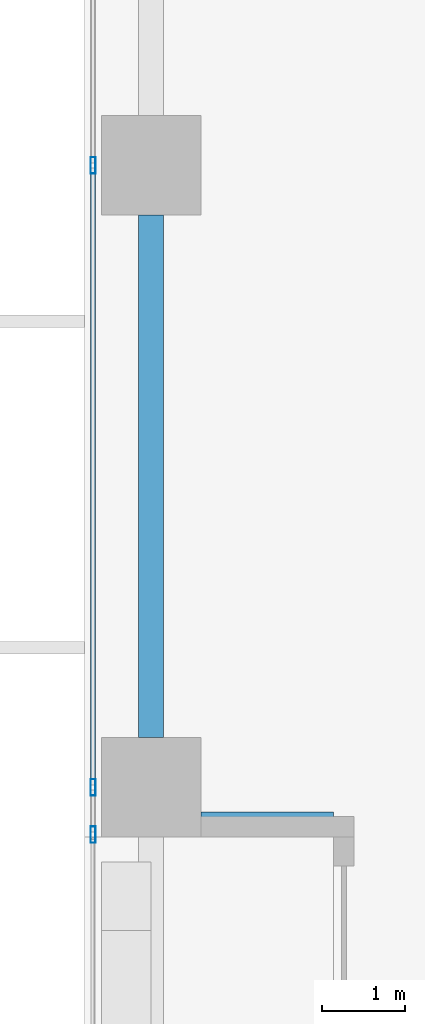
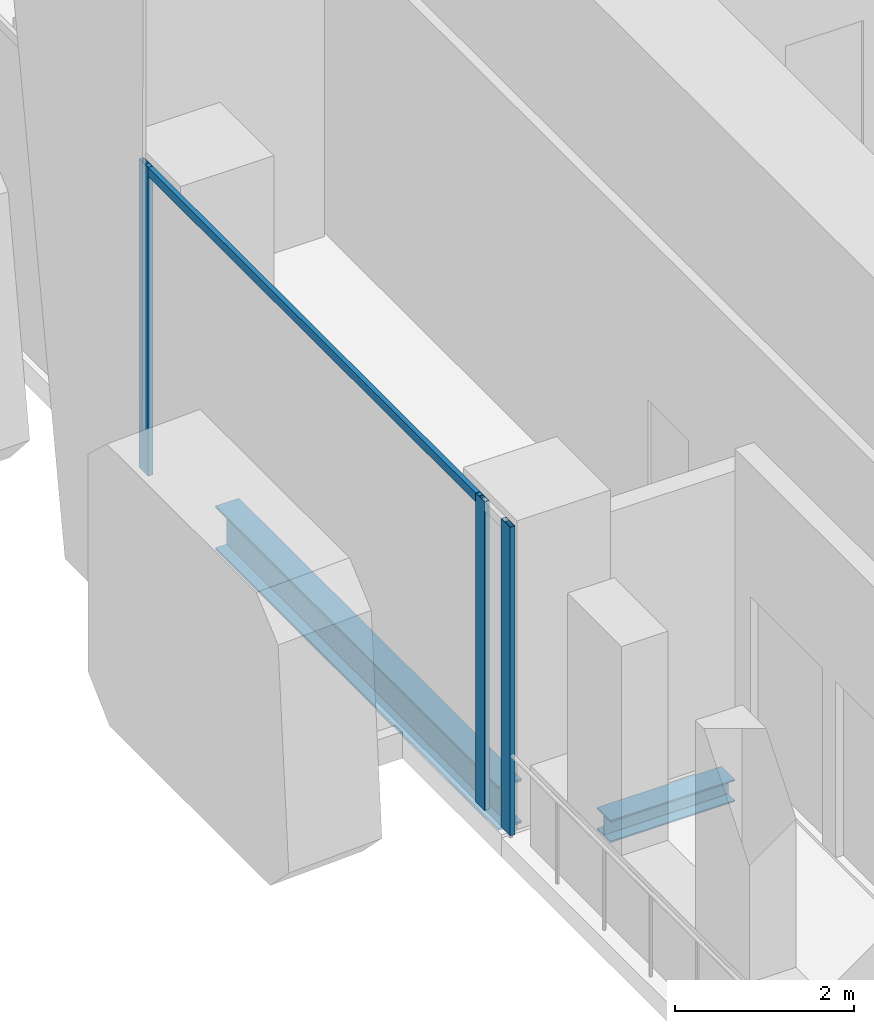
# One storey, part 5 of 36: 4 members, 2 beams, 1 element without a shape of its own.
"""IFC4 building model written with IfcOpenShell, lengths in metres."""

import ifcopenshell
import ifcopenshell.guid

model = None  # the IFC model being written
_history = None  # IfcOwnerHistory: only IFC2X3 demands one
_inside = {}  # id of a spatial element -> (the spatial element, [elements in it])
_under = {}  # id of a project, library or spatial element -> (it, [spatial elements below it])
_declared = {}  # id of a project -> (the project, [libraries it declares])
_typed = {}  # id of a type object -> (the type object, [elements of that type])
_made_of = {}  # id of a material, layer set ... -> (it, [elements and type objects made of it])


def new_model(schema):
    """Start an empty IFC model of exactly this schema.

    Asked for "IFC4X3", IfcOpenShell would pick the latest addendum, in which some entities
    have other attributes; the version numbers below select the first issue.
    IFC2X3 requires an IfcOwnerHistory on every rooted entity: one is made here for all.
    """
    global model, _history
    if schema == "IFC4X3":
        model = ifcopenshell.file(schema_version=(4, 3, 0, 0))
    else:
        model = ifcopenshell.file(schema=schema)
    _inside.clear()
    _under.clear()
    _declared.clear()
    _typed.clear()
    _made_of.clear()
    _history = None
    if model.schema == "IFC2X3":
        org = make("IfcOrganization", Name="unknown")
        user = make(
            "IfcPersonAndOrganization",
            ThePerson=make("IfcPerson", FamilyName="unknown"),
            TheOrganization=org,
        )
        app = make(
            "IfcApplication",
            ApplicationDeveloper=org,
            Version="unknown",
            ApplicationFullName="unknown",
            ApplicationIdentifier="unknown",
        )
        _history = make(
            "IfcOwnerHistory",
            OwningUser=user,
            OwningApplication=app,
            ChangeAction="ADDED",
            CreationDate=0,
        )
    return model


def make(cls, **values):
    """One entity of the class cls with the attributes given. An attribute that is None is left unset."""
    return model.create_entity(
        cls, **{name: value for name, value in values.items() if value is not None}
    )


def rooted(cls, **values):
    """An entity with a GlobalId (a new one), such as an element, a storey or a relation."""
    return make(cls, GlobalId=ifcopenshell.guid.new(), OwnerHistory=_history, **values)


def si_unit(unit_type, name, prefix=None):
    """IfcSIUnit, for example si_unit("LENGTHUNIT", "METRE", prefix="MILLI")."""
    return make("IfcSIUnit", UnitType=unit_type, Prefix=prefix, Name=name)


def assignment(units):
    """IfcUnitAssignment: the units of a project."""
    return None if units is None else make("IfcUnitAssignment", Units=units)


def point(xyz):
    """IfcCartesianPoint."""
    return None if xyz is None else make("IfcCartesianPoint", Coordinates=xyz)


def direction(xyz):
    """IfcDirection."""
    return None if xyz is None else make("IfcDirection", DirectionRatios=xyz)


def frame(location, z_axis=None, x_axis=None):
    """IfcAxis2Placement3D, a coordinate frame: its origin and axes. An axis left out is left unset."""
    return make(
        "IfcAxis2Placement3D",
        Location=point(location),
        Axis=direction(z_axis),
        RefDirection=direction(x_axis),
    )


def frame_2d(location, x_axis=None):
    """IfcAxis2Placement2D, a coordinate frame in the plane: its origin and x axis."""
    return make(
        "IfcAxis2Placement2D", Location=point(location), RefDirection=direction(x_axis)
    )


def origin():
    """The frame at (0, 0, 0) with its axes left unset."""
    return frame((0.0, 0.0, 0.0))


def origin_2d():
    """The frame at (0, 0) in the plane with its x axis left unset."""
    return frame_2d((0.0, 0.0))


def place(relative_to, where):
    """IfcLocalPlacement: puts the frame where relative to a parent placement (None: the world)."""
    return make(
        "IfcLocalPlacement", PlacementRelTo=relative_to, RelativePlacement=where
    )


def context(
    kind, dimensions, precision=None, world=None, true_north=None, identifier=None
):
    """IfcGeometricRepresentationContext, for example the 3D "Model" context."""
    return make(
        "IfcGeometricRepresentationContext",
        ContextIdentifier=identifier,
        ContextType=kind,
        CoordinateSpaceDimension=dimensions,
        Precision=precision,
        WorldCoordinateSystem=world,
        TrueNorth=true_north,
    )


def subcontext(parent, identifier, kind, view, scale=None):
    """IfcGeometricRepresentationSubContext, for example "Body" below "Model"."""
    return make(
        "IfcGeometricRepresentationSubContext",
        ContextIdentifier=identifier,
        ContextType=kind,
        ParentContext=parent,
        TargetScale=scale,
        TargetView=view,
    )


def project(units=None, contexts=None):
    """IfcProject with its units and contexts."""
    return rooted(
        "IfcProject",
        Name="project",
        RepresentationContexts=contexts,
        UnitsInContext=assignment(units),
    )


def spatial(cls, under=None, at=None, **own):
    """A site, building, storey or space (cls), placed at a placement, below another one or the project."""
    s = rooted(cls, ObjectPlacement=at, **own)
    if under is not None:
        _under.setdefault(under.id(), (under, []))[1].append(s)
    return s


def profile(cls, at=None, kind="AREA", **sizes):
    """A parametric profile (cls). Its sizes go by their IFC names, for example OverallWidth=200.0."""
    return make(cls, ProfileType=kind, Position=at, **sizes)


def hollow_rectangle(**sizes):
    """IfcRectangleHollowProfileDef."""
    return profile("IfcRectangleHollowProfileDef", **sizes)


def i_section(**sizes):
    """IfcIShapeProfileDef."""
    return profile("IfcIShapeProfileDef", **sizes)


def extrude(swept, where, along, depth):
    """IfcExtrudedAreaSolid: the profile swept, set in the frame where, extruded along a direction by depth."""
    return make(
        "IfcExtrudedAreaSolid",
        SweptArea=swept,
        Position=where,
        ExtrudedDirection=direction(along),
        Depth=depth,
    )


def shape(context_of_items, identifier, shape_type, items):
    """IfcShapeRepresentation: the items that make up one representation, for example the "Body"."""
    return make(
        "IfcShapeRepresentation",
        ContextOfItems=context_of_items,
        RepresentationIdentifier=identifier,
        RepresentationType=shape_type,
        Items=items,
    )


def source(mapping_origin, context_of_items, identifier, shape_type, items):
    """IfcRepresentationMap: a shape defined once, which mapped items show again and again."""
    return make(
        "IfcRepresentationMap",
        MappingOrigin=mapping_origin,
        MappedRepresentation=shape(context_of_items, identifier, shape_type, items),
    )


def transform(
    local_origin,
    x_axis=None,
    y_axis=None,
    z_axis=None,
    scale=None,
    scale2=None,
    scale3=None,
    uniform=True,
):
    """IfcCartesianTransformationOperator3D, or its non-uniform kind. x_axis, y_axis, z_axis: its Axis1, 2, 3."""
    if uniform:
        return make(
            "IfcCartesianTransformationOperator3D",
            Axis1=direction(x_axis),
            Axis2=direction(y_axis),
            LocalOrigin=point(local_origin),
            Scale=scale,
            Axis3=direction(z_axis),
        )
    return make(
        "IfcCartesianTransformationOperator3DnonUniform",
        Axis1=direction(x_axis),
        Axis2=direction(y_axis),
        LocalOrigin=point(local_origin),
        Scale=scale,
        Axis3=direction(z_axis),
        Scale2=scale2,
        Scale3=scale3,
    )


def mapped(mapping_source, mapping_target):
    """IfcMappedItem: shows the shape of a source again, moved by a transform."""
    return make(
        "IfcMappedItem", MappingSource=mapping_source, MappingTarget=mapping_target
    )


def material(Name=None, Category=None):
    """IfcMaterial."""
    return make("IfcMaterial", Name=Name, Category=Category)


def material_profile(
    of_material, cross_section, Name=None, Category=None, Priority=None
):
    """IfcMaterialProfile: a cross section and its material."""
    return make(
        "IfcMaterialProfile",
        Name=Name,
        Material=of_material,
        Profile=cross_section,
        Priority=Priority,
        Category=Category,
    )


def profile_set(profiles, Name=None, composite=None):
    """IfcMaterialProfileSet."""
    return make(
        "IfcMaterialProfileSet",
        Name=Name,
        MaterialProfiles=profiles,
        CompositeProfile=composite,
    )


def made_of(thing, what):
    """Note that an element or type object is made of a material, layer set ...; save() writes the relation."""
    if what is not None:
        _made_of.setdefault(what.id(), (what, []))[1].append(thing)
    return thing


def type_object(cls, material=None, **own):
    """A type object (cls), such as IfcWallType, which elements share."""
    return made_of(rooted(cls, **own), material)


def element(
    cls,
    number,
    at=None,
    inside=None,
    cuts=None,
    type_object=None,
    material=None,
    context=None,
    identifier="Body",
    shape_type=None,
    held_by="IfcProductDefinitionShape",
    body=None,
    shapes=None,
    **own,
):
    """One element of the class cls, such as IfcWall. Its Tag is "e" and its number.

    at: its placement. inside: the storey or other place that contains it. cuts: it is an
    opening in that element (IfcRelVoidsElement). A single representation is given by context,
    identifier, shape_type and body (its items); several are given by shapes. held_by: the class
    of the entity that holds the representations. save() writes the other relations.
    """
    e = rooted(cls, Tag="e%d" % number, ObjectPlacement=at, **own)
    if body is not None:
        shapes = [shape(context, identifier, shape_type, body)]
    if shapes is not None:
        e.Representation = make(held_by, Representations=shapes)
    if inside is not None:
        _inside.setdefault(inside.id(), (inside, []))[1].append(e)
    if cuts is not None:
        rooted(
            "IfcRelVoidsElement", RelatingBuildingElement=cuts, RelatedOpeningElement=e
        )
    if type_object is not None:
        _typed.setdefault(type_object.id(), (type_object, []))[1].append(e)
    return made_of(e, material)


def aggregate(whole, parts):
    """IfcRelAggregates: a whole, such as a stair, and the parts it consists of."""
    return rooted("IfcRelAggregates", RelatingObject=whole, RelatedObjects=parts)


def save(model, path):
    """Write the relations noted so far, then the file.

    IfcRelAggregates (storeys below a building ...), IfcRelContainedInSpatialStructure (elements
    in a storey), IfcRelDefinesByType, IfcRelAssociatesMaterial and IfcRelDeclares: one each for
    every whole, place, type object, material and project.
    """
    for whole, parts in _under.values():
        aggregate(whole, parts)
    for where, things in _inside.values():
        rooted(
            "IfcRelContainedInSpatialStructure",
            RelatedElements=things,
            RelatingStructure=where,
        )
    for kind, things in _typed.values():
        rooted("IfcRelDefinesByType", RelatedObjects=things, RelatingType=kind)
    for what, things in _made_of.values():
        rooted("IfcRelAssociatesMaterial", RelatedObjects=things, RelatingMaterial=what)
    for by, libraries in _declared.values():
        rooted("IfcRelDeclares", RelatingContext=by, RelatedDefinitions=libraries)
    model.write(path)


model = new_model("IFC4")

# Units and contexts
model_context = context("Model", 3, precision=1e-05, world=origin(), true_north=direction((0.0, 1.0)))
body_context = subcontext(model_context, "Body", "Model", "MODEL_VIEW")
ifc_project = project(units=[si_unit("LENGTHUNIT", "METRE"), si_unit("AREAUNIT", "SQUARE_METRE"), si_unit("VOLUMEUNIT", "CUBIC_METRE"), si_unit("PLANEANGLEUNIT", "RADIAN"), si_unit("MASSUNIT", "GRAM", prefix="KILO")], contexts=[model_context])

# Site, building, storey
site_placement = place(None, origin())
site = spatial("IfcSite", under=ifc_project, at=site_placement, CompositionType="ELEMENT")
building_placement = place(site_placement, origin())
building = spatial("IfcBuilding", under=site, at=building_placement, Name="Khomas Fold Tower", CompositionType="ELEMENT")
storey_placement = place(building_placement, frame((0.0, 0.0, 46.5)))
storey = spatial("IfcBuildingStorey", under=building, at=storey_placement, Name="L09", CompositionType="ELEMENT", Elevation=46.5)

# Beams
ifc_material_1 = material(Name="Steel S355", Category="steel")
ifc_material_profile_1 = material_profile(ifc_material_1, i_section(OverallWidth=0.300048828125, OverallDepth=0.60009765625, WebThickness=0.015380859375, FlangeThickness=0.030029296875, at=origin_2d()), Name="HE 600 B")
ifc_profile_set_1 = profile_set([ifc_material_profile_1], Name="Steel S355")
beam_type_1 = type_object("IfcBeamType", Name="HE 600 B spandrel SB1", PredefinedType="SPANDREL", material=ifc_profile_set_1)
shared_shape_1 = source(origin(), body_context, "Body", "SweptSolid", [
    extrude(i_section(OverallWidth=0.300048828125, OverallDepth=0.60009765625, WebThickness=0.015380859375, FlangeThickness=0.030029296875, at=origin_2d()), origin(), (0.0, 0.0, 1.0), 6.2998046875),
])
beam_1_placement = place(storey_placement, frame((0.800048828125, 20.10009765625, -0.60009765625), z_axis=(0.0, 1.0, 0.0), x_axis=(-1.0, 0.0, 0.0)))
element("IfcBeam", 1, at=beam_1_placement, inside=storey, type_object=beam_type_1, Name="SB1", PredefinedType="SPANDREL", context=body_context, shape_type="MappedRepresentation", body=[
    mapped(shared_shape_1, transform((0.0, 0.0, 0.0))),
])
ifc_material_2 = material(Name="Steel S355", Category="steel")
ifc_material_profile_2 = material_profile(ifc_material_2, i_section(OverallWidth=0.300048828125, OverallDepth=0.300048828125, WebThickness=0.010986328125, FlangeThickness=0.01904296875, at=origin_2d()), Name="HE 300 B")
ifc_profile_set_2 = profile_set([ifc_material_profile_2], Name="Steel S355")
beam_type_2 = type_object("IfcBeamType", Name="HE 300 B beam BB1", PredefinedType="BEAM", material=ifc_profile_set_2)
shared_shape_2 = source(origin(), body_context, "Body", "SweptSolid", [
    extrude(i_section(OverallWidth=0.300048828125, OverallDepth=0.300048828125, WebThickness=0.010986328125, FlangeThickness=0.01904296875, at=origin_2d()), origin(), (0.0, 0.0, 1.0), 1.60009765625),
])
beam_2_placement = place(storey_placement, frame((1.39990234375, 19.050048828125, -0.449951171875), z_axis=(1.0, 0.0, 0.0), x_axis=(0.0, 1.0, 0.0)))
element("IfcBeam", 2, at=beam_2_placement, inside=storey, type_object=beam_type_2, Name="BB1", PredefinedType="BEAM", context=body_context, shape_type="MappedRepresentation", body=[
    mapped(shared_shape_2, transform((0.0, 0.0, 0.0))),
])

# Curtain wall, members
ifc_material_3 = material(Name="Aluminium framed double glazing", Category="aluminium")
curtain_wall_type = type_object("IfcCurtainWallType", Name="SK-Unitised clear-glass wall, growing floors CW1", PredefinedType="NOTDEFINED", material=ifc_material_3)
curtain_wall_placement = place(storey_placement, origin())
curtain_wall = element("IfcCurtainWall", 3, at=curtain_wall_placement, inside=storey, type_object=curtain_wall_type, Name="CW1 run L09 09-0", PredefinedType="NOTDEFINED")
ifc_material_4 = material(Name="Aluminium", Category="aluminium")
ifc_material_profile_3 = material_profile(ifc_material_4, hollow_rectangle(XDim=0.06005859375, YDim=0.1201171875, WallThickness=0.00390625, at=origin_2d()), Name="SK-Unitised clear-glass wall, growing floors transom CW1-T")
ifc_profile_set_3 = profile_set([ifc_material_profile_3], Name="Aluminium")
member_type_1 = type_object("IfcMemberType", Name="SK-Unitised clear-glass wall, growing floors transom CW1-T", PredefinedType="USERDEFINED", material=ifc_profile_set_3)
shared_shape_3 = source(origin(), body_context, "Body", "SweptSolid", [
    extrude(hollow_rectangle(XDim=0.06005859375, YDim=0.1201171875, WallThickness=0.00390625, at=origin_2d()), origin(), (0.0, 0.0, 1.0), 7.43994140625),
])
member_1_placement = place(storey_placement, frame((0.10009765625, 26.969970703125, 4.139892578125), z_axis=(0.0, -1.0, 0.0), x_axis=(1.0, 0.0, 0.0)))
member_1 = element("IfcMember", 4, at=member_1_placement, type_object=member_type_1, Name="CW1 transom 5", ObjectType="TRANSOM", PredefinedType="USERDEFINED", context=body_context, shape_type="MappedRepresentation", body=[
    mapped(shared_shape_3, transform((0.0, 0.0, 0.0))),
])
ifc_material_5 = material(Name="Aluminium", Category="aluminium")
ifc_material_profile_4 = material_profile(ifc_material_5, hollow_rectangle(XDim=0.06005859375, YDim=0.199951171875, WallThickness=0.00390625, at=origin_2d()), Name="SK-Unitised clear-glass wall, growing floors mullion CW1-M")
ifc_profile_set_4 = profile_set([ifc_material_profile_4], Name="Aluminium")
member_type_2 = type_object("IfcMemberType", Name="SK-Unitised clear-glass wall, growing floors mullion CW1-M", PredefinedType="MULLION", material=ifc_profile_set_4)
shared_shape_4 = source(origin(), body_context, "Body", "SweptSolid", [
    extrude(hollow_rectangle(XDim=0.06005859375, YDim=0.199951171875, WallThickness=0.00390625, at=origin_2d()), origin(), (0.0, 0.0, 1.0), 4.199951171875),
])
member_2_placement = place(storey_placement, frame((0.10009765625, 27.0, 0.0), z_axis=(0.0, 0.0, 1.0), x_axis=(1.0, 0.0, 0.0)))
member_2 = element("IfcMember", 5, at=member_2_placement, type_object=member_type_2, Name="CW1 mullion 5", PredefinedType="MULLION", context=body_context, shape_type="MappedRepresentation", body=[
    mapped(shared_shape_4, transform((0.0, 0.0, 0.0))),
])
member_3_placement = place(storey_placement, frame((0.10009765625, 19.5, 0.0), z_axis=(0.0, 0.0, 1.0), x_axis=(1.0, 0.0, 0.0)))
member_3 = element("IfcMember", 6, at=member_3_placement, type_object=member_type_2, Name="CW1 mullion 6", PredefinedType="MULLION", context=body_context, shape_type="MappedRepresentation", body=[
    mapped(shared_shape_4, transform((0.0, 0.0, 0.0))),
])
member_4_placement = place(storey_placement, frame((0.10009765625, 18.929931640625, 0.0), z_axis=(0.0, 0.0, 1.0), x_axis=(1.0, 0.0, 0.0)))
member_4 = element("IfcMember", 7, at=member_4_placement, type_object=member_type_2, Name="CW1 mullion 7", PredefinedType="MULLION", context=body_context, shape_type="MappedRepresentation", body=[
    mapped(shared_shape_4, transform((0.0, 0.0, 0.0))),
])
aggregate(curtain_wall, [member_2, member_3, member_4, member_1])

save(model, "model.ifc")
